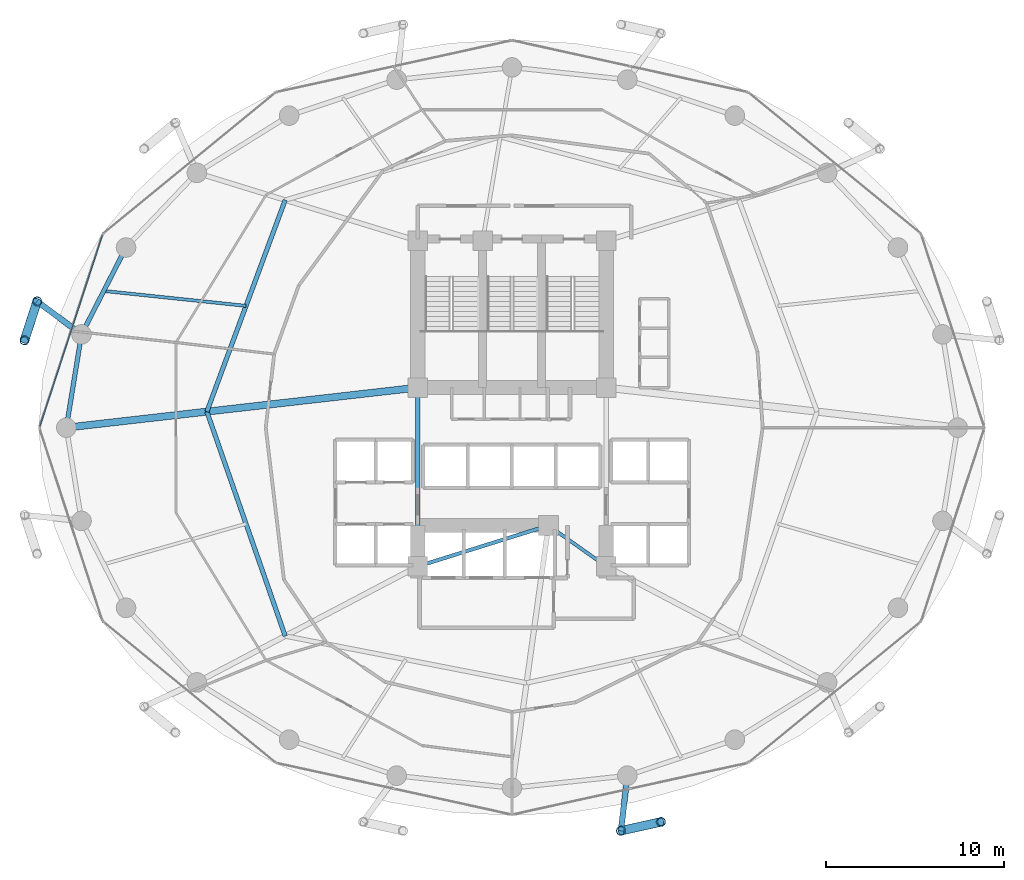
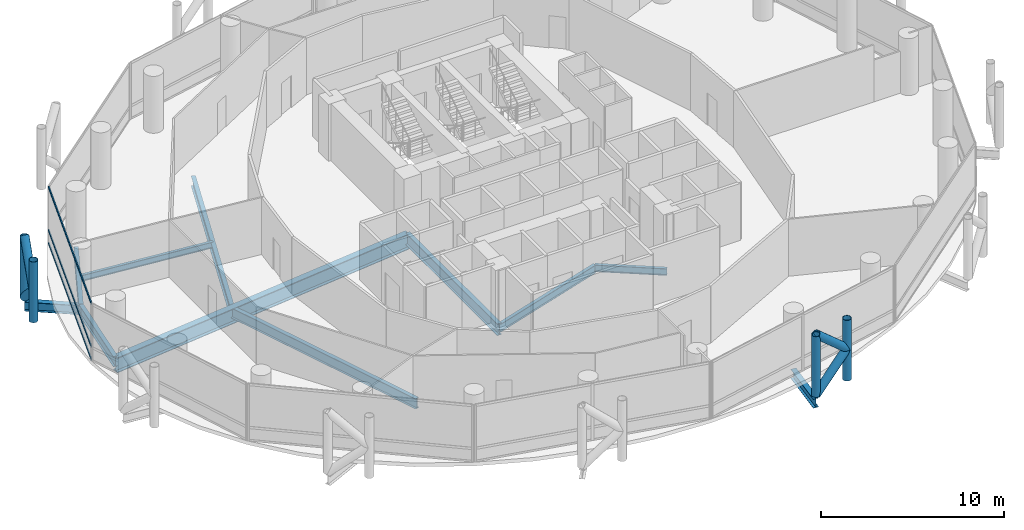
# One storey, part 7 of 25: 11 beams, 11 members, 1 element without a shape of its own.
"""IFC4 building model written with IfcOpenShell, lengths in metres."""

from ifc_helpers import new_model, si_unit, direction, frame, origin, origin_2d, place, context, subcontext, project, spatial, hollow_rectangle, hollow_circle, i_section, extrude, material, layer, layer_set, material_profile, profile_set, type_object, element, aggregate, save


model = new_model("IFC4")

# Units and contexts
model_context = context("Model", 3, precision=1e-05, world=origin(), true_north=direction((0.0, 1.0)))
body_context = subcontext(model_context, "Body", "Model", "MODEL_VIEW")
ifc_project = project(units=[si_unit("LENGTHUNIT", "METRE"), si_unit("AREAUNIT", "SQUARE_METRE"), si_unit("VOLUMEUNIT", "CUBIC_METRE"), si_unit("PLANEANGLEUNIT", "RADIAN"), si_unit("MASSUNIT", "GRAM", prefix="KILO")], contexts=[model_context])

# Site, building, storey
site_placement = place(None, origin())
site = spatial("IfcSite", under=ifc_project, at=site_placement, CompositionType="ELEMENT")
building_placement = place(site_placement, origin())
building = spatial("IfcBuilding", under=site, at=building_placement, Name="Nuhasar Tower", CompositionType="ELEMENT")
storey_placement = place(building_placement, frame((0.0, 0.0, 61.5)))
storey = spatial("IfcBuildingStorey", under=building, at=storey_placement, Name="L14", CompositionType="ELEMENT", Elevation=61.5)

# Beams
ifc_material_1 = material(Name="Steel S355", Category="steel")
ifc_material_profile_1 = material_profile(ifc_material_1, i_section(OverallWidth=0.25390625, OverallDepth=0.68408203125, WebThickness=0.012451171875, FlangeThickness=0.018798828125, at=origin_2d()), Name="W27X94")
ifc_profile_set_1 = profile_set([ifc_material_profile_1], Name="Steel S355")
beam_type_1 = type_object("IfcBeamType", Name="BM-INRING-W27X94", PredefinedType="BEAM", material=ifc_profile_set_1)
beam_1_placement = place(storey_placement, frame((26.251953125, 39.591064453125, -0.592041015625), z_axis=(-0.34715757476, -0.937806812881, 0.0), x_axis=(0.937806812881, -0.34715757476, 0.0)))
element("IfcBeam", 1, at=beam_1_placement, inside=storey, type_object=beam_type_1, Name="L14 Inner Header Beam 07", PredefinedType="BEAM", context=body_context, shape_type="SweptSolid", body=[
    extrude(i_section(OverallWidth=0.25390625, OverallDepth=0.68408203125, WebThickness=0.012451171875, FlangeThickness=0.018798828125, at=origin_2d()), origin(), (0.0, 0.0, 1.0), 12.6796875),
])
beam_2_placement = place(storey_placement, frame((21.85009765625, 27.699951171875, -0.592041015625), z_axis=(0.329554049858, -0.944136710558, 0.0), x_axis=(0.944136710558, 0.329554049858, 0.0)))
element("IfcBeam", 2, at=beam_2_placement, inside=storey, type_object=beam_type_1, Name="L14 Inner Header Beam 08", PredefinedType="BEAM", context=body_context, shape_type="SweptSolid", body=[
    extrude(i_section(OverallWidth=0.25390625, OverallDepth=0.68408203125, WebThickness=0.012451171875, FlangeThickness=0.018798828125, at=origin_2d()), origin(), (0.0, 0.0, 1.0), 13.35693359375),
])
ifc_material_profile_2 = material_profile(ifc_material_1, i_section(OverallWidth=0.177978515625, OverallDepth=0.406005859375, WebThickness=0.0078125, FlangeThickness=0.0126953125, at=origin_2d()), Name="W16X40")
ifc_profile_set_2 = profile_set([ifc_material_profile_2], Name="Steel S355")
beam_type_2 = type_object("IfcBeamType", Name="BM-JST-W16X40", PredefinedType="JOIST", material=ifc_profile_set_2)
beam_3_placement = place(storey_placement, frame((24.051025390625, 33.64501953125, -0.452880859375), z_axis=(-0.994554594377, 0.104216883485, 0.0), x_axis=(-0.104216883485, -0.994554594377, 0.0)))
element("IfcBeam", 3, at=beam_3_placement, inside=storey, type_object=beam_type_2, Name="L14 Secondary Floor Joist 07", PredefinedType="JOIST", context=body_context, shape_type="SweptSolid", body=[
    extrude(i_section(OverallWidth=0.177978515625, OverallDepth=0.406005859375, WebThickness=0.0078125, FlangeThickness=0.0126953125, at=origin_2d()), origin(), (0.0, 0.0, 1.0), 8.039794921875),
])
ifc_material_profile_3 = material_profile(ifc_material_1, i_section(OverallWidth=0.18994140625, OverallDepth=0.45703125, WebThickness=0.009033203125, FlangeThickness=0.014404296875, at=origin_2d()), Name="W18X50")
ifc_profile_set_3 = profile_set([ifc_material_profile_3], Name="Steel S355")
beam_type_3 = type_object("IfcBeamType", Name="BM-RAD-W18X50", PredefinedType="BEAM", material=ifc_profile_set_3)
beam_4_placement = place(storey_placement, frame((41.050048828125, 21.300048828125, -0.47802734375), z_axis=(0.816265428953, -0.577677028708, 0.0), x_axis=(0.577677028708, 0.816265428953, 0.0)))
element("IfcBeam", 4, at=beam_4_placement, inside=storey, type_object=beam_type_3, Name="L14 Core Ring Girder 2", PredefinedType="BEAM", context=body_context, shape_type="SweptSolid", body=[
    extrude(i_section(OverallWidth=0.18994140625, OverallDepth=0.45703125, WebThickness=0.009033203125, FlangeThickness=0.014404296875, at=origin_2d()), origin(), (0.0, 0.0, 1.0), 3.9814453125),
])
ifc_material_profile_4 = material_profile(ifc_material_1, i_section(OverallWidth=0.208984375, OverallDepth=0.532958984375, WebThickness=0.01025390625, FlangeThickness=0.015625, at=origin_2d()), Name="W21X62")
ifc_profile_set_4 = profile_set([ifc_material_profile_4], Name="Steel S355")
beam_type_4 = type_object("IfcBeamType", Name="BM-RAD-W21X62", PredefinedType="BEAM", material=ifc_profile_set_4)
beam_5_placement = place(storey_placement, frame((33.699951171875, 19.0, -0.51708984375), z_axis=(0.954363709454, 0.298646798205, 0.0), x_axis=(-0.298646798205, 0.954363709454, 0.0)))
element("IfcBeam", 5, at=beam_5_placement, inside=storey, type_object=beam_type_4, Name="L14 Core Ring Girder 1", PredefinedType="BEAM", context=body_context, shape_type="SweptSolid", body=[
    extrude(i_section(OverallWidth=0.208984375, OverallDepth=0.532958984375, WebThickness=0.01025390625, FlangeThickness=0.015625, at=origin_2d()), origin(), (0.0, 0.0, 1.0), 7.70166015625),
])
ifc_material_profile_5 = material_profile(ifc_material_1, i_section(OverallWidth=0.26611328125, OverallDepth=0.779052734375, WebThickness=0.0166015625, FlangeThickness=0.030029296875, at=origin_2d()), Name="W30X148")
ifc_profile_set_5 = profile_set([ifc_material_profile_5], Name="Steel S355")
beam_type_5 = type_object("IfcBeamType", Name="BM-RAD-W30X148", PredefinedType="BEAM", material=ifc_profile_set_5)
beam_6_placement = place(storey_placement, frame((33.699951171875, 29.050048828125, -0.638916015625), z_axis=(0.0, -1.0, 0.0), x_axis=(1.0, 0.0, 0.0)))
element("IfcBeam", 6, at=beam_6_placement, inside=storey, type_object=beam_type_5, Name="L14 Core Ring Girder 8", PredefinedType="BEAM", context=body_context, shape_type="SweptSolid", body=[
    extrude(i_section(OverallWidth=0.26611328125, OverallDepth=0.779052734375, WebThickness=0.0166015625, FlangeThickness=0.030029296875, at=origin_2d()), origin(), (0.0, 0.0, 1.0), 10.050048828125),
])
ifc_material_profile_6 = material_profile(ifc_material_1, i_section(OverallWidth=0.256103515625, OverallDepth=0.693115234375, WebThickness=0.014404296875, FlangeThickness=0.023681640625, at=origin_2d()), Name="W27X114")
ifc_profile_set_6 = profile_set([ifc_material_profile_6], Name="Steel S355")
beam_type_6 = type_object("IfcBeamType", Name="BM-RING-W27X114", PredefinedType="SPANDREL", material=ifc_profile_set_6)
beam_7_placement = place(storey_placement, frame((17.305908203125, 36.925048828125, -0.595947265625), z_axis=(-0.455930023905, -0.890015625314, 0.0), x_axis=(0.890015625314, -0.455930023905, 0.0)))
element("IfcBeam", 7, at=beam_7_placement, inside=storey, type_object=beam_type_6, Name="L14 Perimeter Ring Spandrel 11", PredefinedType="SPANDREL", context=body_context, shape_type="SweptSolid", body=[
    extrude(i_section(OverallWidth=0.256103515625, OverallDepth=0.693115234375, WebThickness=0.014404296875, FlangeThickness=0.023681640625, at=origin_2d()), origin(), (0.0, 0.0, 1.0), 5.487548828125),
])
beam_8_placement = place(storey_placement, frame((14.803955078125, 32.041015625, -0.595947265625), z_axis=(-0.160826635486, -0.986982671235, 0.0), x_axis=(0.986982671235, -0.160826635486, 0.0)))
element("IfcBeam", 8, at=beam_8_placement, inside=storey, type_object=beam_type_6, Name="L14 Perimeter Ring Spandrel 12", PredefinedType="SPANDREL", context=body_context, shape_type="SweptSolid", body=[
    extrude(i_section(OverallWidth=0.256103515625, OverallDepth=0.693115234375, WebThickness=0.014404296875, FlangeThickness=0.023681640625, at=origin_2d()), origin(), (0.0, 0.0, 1.0), 5.31005859375),
])
ifc_material_profile_7 = material_profile(ifc_material_1, i_section(OverallWidth=0.323974609375, OverallDepth=0.611083984375, WebThickness=0.0126953125, FlangeThickness=0.01904296875, at=origin_2d()), Name="W24X104")
ifc_profile_set_7 = profile_set([ifc_material_profile_7], Name="Steel S355")
beam_type_7 = type_object("IfcBeamType", Name="BM-TIE-W24X104", PredefinedType="BEAM", material=ifc_profile_set_7)
beam_9_placement = place(storey_placement, frame((14.803955078125, 32.041015625, -0.555908203125), z_axis=(-0.802151061326, 0.597121155892, 0.0), x_axis=(-0.597121155892, -0.802151061326, 0.0)))
element("IfcBeam", 9, at=beam_9_placement, inside=storey, type_object=beam_type_7, Name="L14 Exoskeleton Node Tie Beam 06", PredefinedType="BEAM", context=body_context, shape_type="SweptSolid", body=[
    extrude(i_section(OverallWidth=0.323974609375, OverallDepth=0.611083984375, WebThickness=0.0126953125, FlangeThickness=0.01904296875, at=origin_2d()), origin(), (0.0, 0.0, 1.0), 3.111328125),
])
beam_10_placement = place(storey_placement, frame((45.48291015625, 7.239990234375, -0.555908203125), z_axis=(-0.115042934281, -0.993360520291, 0.0), x_axis=(0.993360520291, -0.115042934281, 0.0)))
element("IfcBeam", 10, at=beam_10_placement, inside=storey, type_object=beam_type_7, Name="L14 Exoskeleton Node Tie Beam 10", PredefinedType="BEAM", context=body_context, shape_type="SweptSolid", body=[
    extrude(i_section(OverallWidth=0.323974609375, OverallDepth=0.611083984375, WebThickness=0.0126953125, FlangeThickness=0.01904296875, at=origin_2d()), origin(), (0.0, 0.0, 1.0), 3.11962890625),
])
ifc_material_2 = material(Name="Steel S460", Category="steel")
ifc_material_profile_8 = material_profile(ifc_material_2, i_section(OverallWidth=0.40087890625, OverallDepth=1.010009765625, WebThickness=0.023681640625, FlangeThickness=0.0419921875, at=origin_2d()), Name="W40X297")
ifc_profile_set_8 = profile_set([ifc_material_profile_8], Name="Steel S460")
beam_type_8 = type_object("IfcBeamType", Name="BM-XFER-W40X297", PredefinedType="USERDEFINED", material=ifc_profile_set_8)
beam_11_placement = place(storey_placement, frame((33.699951171875, 29.050048828125, -0.7548828125), z_axis=(-0.993573147212, -0.113191877531, 0.0), x_axis=(0.113191877531, -0.993573147212, 0.0)))
element("IfcBeam", 11, at=beam_11_placement, inside=storey, type_object=beam_type_8, Name="L14 Radial Floor Girder 08", ObjectType="GIRDER", PredefinedType="USERDEFINED", context=body_context, shape_type="SweptSolid", body=[
    extrude(i_section(OverallWidth=0.40087890625, OverallDepth=1.010009765625, WebThickness=0.023681640625, FlangeThickness=0.0419921875, at=origin_2d()), origin(), (0.0, 0.0, 1.0), 19.877685546875),
])

# Curtain wall, members
ifc_material_3 = material(Name="Aluminium 6063-T6", Category="aluminium")
ifc_layer = layer(ifc_material_3, 0.199951171875)
ifc_layer_set = layer_set([ifc_layer], Name="Aluminium 6063-T6")
curtain_wall_type = type_object("IfcCurtainWallType", Name="CW-Z1-OFF", PredefinedType="NOTDEFINED", material=ifc_layer_set)
curtain_wall_placement = place(storey_placement, origin())
curtain_wall = element("IfcCurtainWall", 12, at=curtain_wall_placement, inside=storey, type_object=curtain_wall_type, Name="L14 Unitised Curtain Wall 06", PredefinedType="NOTDEFINED")
ifc_material_profile_9 = material_profile(ifc_material_3, hollow_rectangle(XDim=0.06494140625, YDim=0.14990234375, WallThickness=0.00439453125, at=origin_2d()), Name="CWT-2")
ifc_profile_set_9 = profile_set([ifc_material_profile_9], Name="Aluminium 6063-T6")
member_type_1 = type_object("IfcMemberType", Name="CW-TRN-S2", PredefinedType="USERDEFINED", material=ifc_profile_set_9)
member_1_placement = place(storey_placement, frame((15.977783203125, 37.6181640625, 0.032470703125), z_axis=(-0.31082506089, -0.950467138581, 0.0), x_axis=(0.950467138581, -0.31082506089, 0.0)))
member_1 = element("IfcMember", 13, at=member_1_placement, type_object=member_type_1, Name="CW-Z1 transom 1.1", ObjectType="TRANSOM", PredefinedType="USERDEFINED", context=body_context, shape_type="SweptSolid", body=[
    extrude(hollow_rectangle(XDim=0.06494140625, YDim=0.14990234375, WallThickness=0.00439453125, at=origin_2d()), origin(), (0.0, 0.0, 1.0), 11.31689453125),
])
member_2_placement = place(storey_placement, frame((15.977783203125, 37.6181640625, 0.89990234375), z_axis=(-0.31082506089, -0.950467138581, 0.0), x_axis=(0.950467138581, -0.31082506089, 0.0)))
member_2 = element("IfcMember", 14, at=member_2_placement, type_object=member_type_1, Name="CW-Z1 transom 1.2", ObjectType="TRANSOM", PredefinedType="USERDEFINED", context=body_context, shape_type="SweptSolid", body=[
    extrude(hollow_rectangle(XDim=0.06494140625, YDim=0.14990234375, WallThickness=0.00439453125, at=origin_2d()), origin(), (0.0, 0.0, 1.0), 11.31689453125),
])
member_3_placement = place(storey_placement, frame((15.977783203125, 37.6181640625, 3.767578125), z_axis=(-0.31082506089, -0.950467138581, 0.0), x_axis=(0.950467138581, -0.31082506089, 0.0)))
member_3 = element("IfcMember", 15, at=member_3_placement, type_object=member_type_1, Name="CW-Z1 transom 1.3", ObjectType="TRANSOM", PredefinedType="USERDEFINED", context=body_context, shape_type="SweptSolid", body=[
    extrude(hollow_rectangle(XDim=0.06494140625, YDim=0.14990234375, WallThickness=0.00439453125, at=origin_2d()), origin(), (0.0, 0.0, 1.0), 11.31689453125),
])
aggregate(curtain_wall, [member_1, member_2, member_3])

# Members
ifc_material_profile_10 = material_profile(ifc_material_2, hollow_circle(Radius=0.25390625, WallThickness=0.025390625, at=origin_2d()), Name="HSS508X25.4")
ifc_profile_set_10 = profile_set([ifc_material_profile_10], Name="Steel S460")
member_type_2 = type_object("IfcMemberType", Name="EXO-BRONZE-508", PredefinedType="BRACE", material=ifc_profile_set_10)
for number, where, z_axis, x_axis, name in (
    (16, (12.30810546875, 33.89892578125, 0.0), (0.0, 0.0, 1.0), (1.0, 0.0, 0.0), "L14 Exoskeleton Chord Column EC-06A"),
    (17, (11.60009765625, 31.7099609375, 0.0), (0.0, 0.0, 1.0), (1.0, 0.0, 0.0), "L14 Exoskeleton Chord Column EC-06B"),
    (18, (45.1240234375, 4.14111328125, 0.0), (0.0, 0.0, 1.0), (1.0, 0.0, 0.0), "L14 Exoskeleton Chord Column EC-10A"),
    (19, (47.3701171875, 4.639892578125, 0.0), (0.0, 0.0, 1.0), (1.0, 0.0, 0.0), "L14 Exoskeleton Chord Column EC-10B"),
):
    element("IfcMember", number, at=place(storey_placement, frame(where, z_axis=z_axis, x_axis=x_axis)), inside=storey, type_object=member_type_2, Name=name, PredefinedType="BRACE", context=body_context, shape_type="SweptSolid", body=[
        extrude(hollow_circle(Radius=0.25390625, WallThickness=0.025390625, at=origin_2d()), origin(), (0.0, 0.0, 1.0), 4.050048828125),
    ])
member_4_placement = place(storey_placement, frame((12.30810546875, 33.89892578125, 0.0), z_axis=(-0.231011836313, -0.714224870475, 0.660693851854), x_axis=(0.951468282519, -0.307746823478, 0.0)))
element("IfcMember", 20, at=member_4_placement, inside=storey, type_object=member_type_2, Name="L14 Bronze Diagrid Brace W1-06", PredefinedType="BRACE", context=body_context, shape_type="SweptSolid", body=[
    extrude(hollow_circle(Radius=0.25390625, WallThickness=0.025390625, at=origin_2d()), origin(), (0.0, 0.0, 1.0), 3.064697265625),
])
for number, where, z_axis, x_axis, name in (
    (21, (11.60009765625, 31.7099609375, 2.02490234375), (0.230999678299, 0.714187281251, 0.660738734997), (-0.951468282519, 0.307746823478, 0.0), "L14 Bronze Diagrid Brace W2-06"),
    (22, (45.1240234375, 4.14111328125, 0.0), (0.732830973624, 0.162736269469, 0.66066305383), (-0.216784396973, 0.976219506683, 0.0), "L14 Bronze Diagrid Brace W1-10"),
):
    element("IfcMember", number, at=place(storey_placement, frame(where, z_axis=z_axis, x_axis=x_axis)), inside=storey, type_object=member_type_2, Name=name, PredefinedType="BRACE", context=body_context, shape_type="SweptSolid", body=[
        extrude(hollow_circle(Radius=0.25390625, WallThickness=0.025390625, at=origin_2d()), origin(), (0.0, 0.0, 1.0), 3.06494140625),
    ])
member_5_placement = place(storey_placement, frame((47.3701171875, 4.639892578125, 2.02490234375), z_axis=(-0.732792408767, -0.162727705556, 0.660707938122), x_axis=(0.216784396973, -0.976219506683, 0.0)))
element("IfcMember", 23, at=member_5_placement, inside=storey, type_object=member_type_2, Name="L14 Bronze Diagrid Brace W2-10", PredefinedType="BRACE", context=body_context, shape_type="SweptSolid", body=[
    extrude(hollow_circle(Radius=0.25390625, WallThickness=0.025390625, at=origin_2d()), origin(), (0.0, 0.0, 1.0), 3.065185546875),
])

save(model, "model.ifc")
